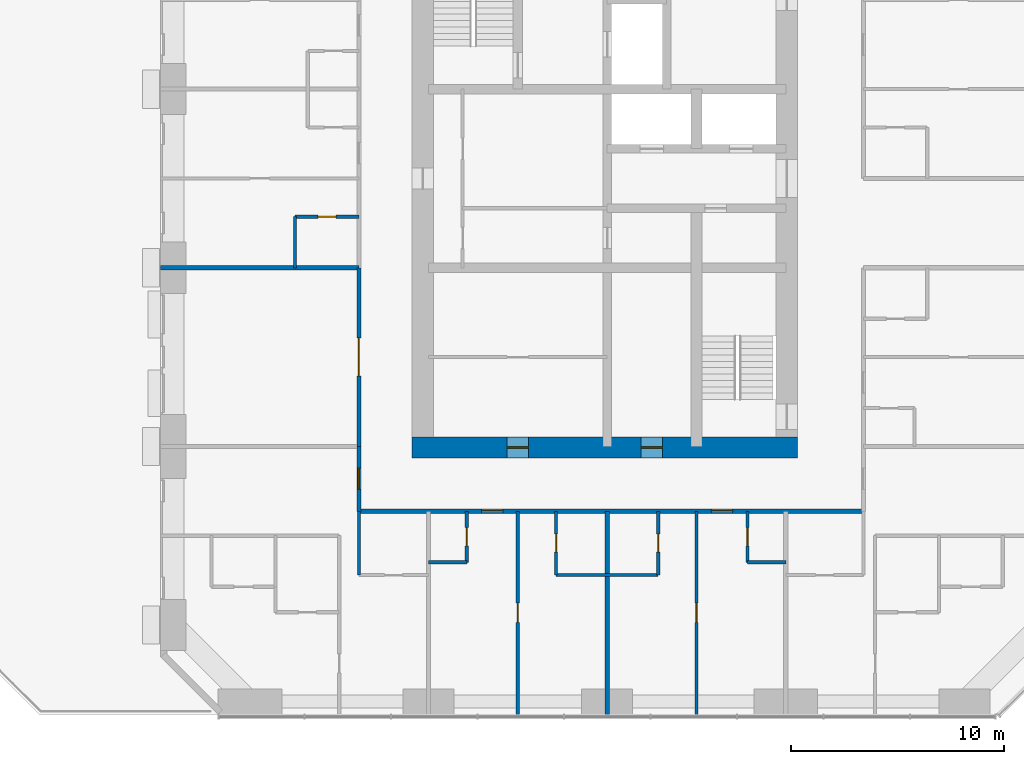
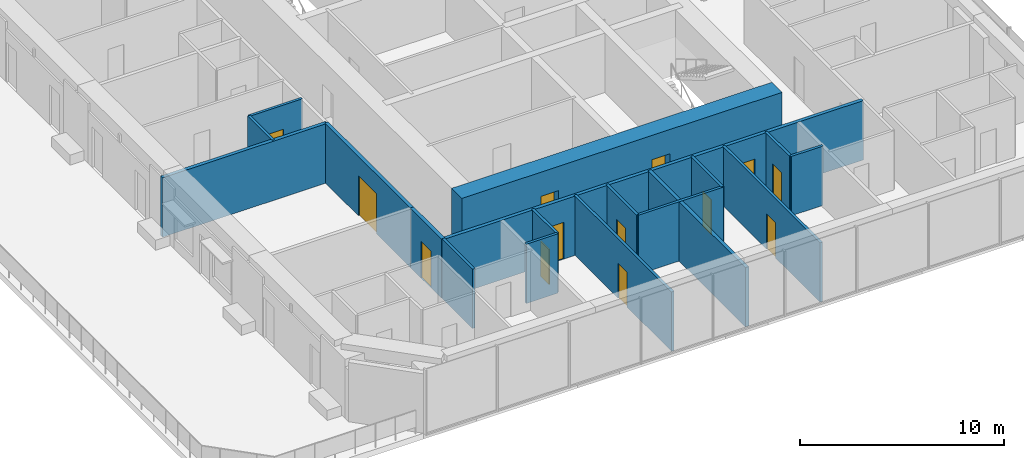
# One storey, part 7 of 13: 18 walls, 13 doors, 13 openings.
"""IFC4 building model written with IfcOpenShell, lengths in metres."""

from ifc_helpers import new_model, si_unit, direction, frame, frame_2d, origin, place, context, subcontext, project, spatial, rectangle, extrude, material, layer, layer_set, type_object, element, fill, save


model = new_model("IFC4")

# Units and contexts
model_context = context("Model", 3, precision=1e-05, world=origin(), true_north=direction((0.0, 1.0)))
body_context = subcontext(model_context, "Body", "Model", "MODEL_VIEW")
ifc_project = project(units=[si_unit("LENGTHUNIT", "METRE"), si_unit("AREAUNIT", "SQUARE_METRE"), si_unit("VOLUMEUNIT", "CUBIC_METRE"), si_unit("PLANEANGLEUNIT", "RADIAN"), si_unit("MASSUNIT", "GRAM", prefix="KILO")], contexts=[model_context])

# Site, building, storey
site_placement = place(None, origin())
site = spatial("IfcSite", under=ifc_project, at=site_placement, CompositionType="ELEMENT")
building_placement = place(site_placement, origin())
building = spatial("IfcBuilding", under=site, at=building_placement, Name="Dunama Terrace Hotel", CompositionType="ELEMENT")
storey_placement = place(building_placement, frame((0.0, 0.0, 225.60009765625)))
storey = spatial("IfcBuildingStorey", under=building, at=storey_placement, Name="L58", CompositionType="ELEMENT", Elevation=225.60009765625)

# Walls
ifc_material_1 = material(Name="Gypsum board partition", Category="masonry")
ifc_layer_1 = layer(ifc_material_1, 0.14990234375)
ifc_layer_set_1 = layer_set([ifc_layer_1], Name="Bathroom partition 150")
wall_type_1 = type_object("IfcWallType", Name="Bathroom partition 150", PredefinedType="PARTITIONING", material=ifc_layer_set_1)
wall_1_placement = place(storey_placement, frame((18.925048828125, 25.199951171875, 0.0), z_axis=(0.0, 0.0, 1.0), x_axis=(0.0, 1.0, 0.0)))
element("IfcWall", 1, at=wall_1_placement, inside=storey, type_object=wall_type_1, Name="Bathroom partition 150 L58", PredefinedType="PARTITIONING", context=body_context, shape_type="SweptSolid", body=[
    extrude(rectangle(XDim=2.400146484375, YDim=0.14990234375, at=frame_2d((1.2001953125, 0.0))), origin(), (0.0, 0.0, 1.0), 3.5498046875),
])
wall_2_placement = place(storey_placement, frame((21.925048828125, 10.75, 0.0), z_axis=(0.0, 0.0, 1.0), x_axis=(0.0, 1.0, 0.0)))
element("IfcWall", 2, at=wall_2_placement, inside=storey, type_object=wall_type_1, Name="Bathroom partition 150 L58", PredefinedType="PARTITIONING", context=body_context, shape_type="SweptSolid", body=[
    extrude(rectangle(XDim=3.0, YDim=0.14990234375, at=frame_2d((1.5, 0.0))), origin(), (0.0, 0.0, 1.0), 3.5498046875),
])

# Wall, opening, door
wall_3_placement = place(storey_placement, frame((27.0, 11.35009765625, 0.0), z_axis=(0.0, 0.0, 1.0), x_axis=(0.0, 1.0, 0.0)))
wall_3 = element("IfcWall", 3, at=wall_3_placement, inside=storey, type_object=wall_type_1, Name="Bathroom partition 150 L58", PredefinedType="PARTITIONING", context=body_context, shape_type="SweptSolid", body=[
    extrude(rectangle(XDim=2.39990234375, YDim=0.14990234375, at=frame_2d((1.199951171875, 0.0))), origin(), (0.0, 0.0, 1.0), 3.5498046875),
])
opening_1_placement = place(wall_3_placement, frame((0.77490234375, 0.0, 0.0)))
opening_1 = element("IfcOpeningElement", 4, at=opening_1_placement, cuts=wall_3, Name="Opening L58-017", PredefinedType="OPENING", context=body_context, shape_type="SweptSolid", body=[
    extrude(rectangle(XDim=0.85009765625, YDim=2.10009765625, at=frame_2d((0.425048828125, 1.050048828125))), frame((0.0, 0.0849609375, 0.0), z_axis=(0.0, -1.0, 0.0), x_axis=(1.0, 0.0, 0.0)), (0.0, 0.0, 1.0), 0.169921875),
])
ifc_material_2 = material(Name="Timber door with steel frame", Category="steel")
door_type_1 = type_object("IfcDoorType", Name="Bathroom door 850", OperationType="SINGLE_SWING_LEFT", PredefinedType="DOOR", material=ifc_material_2)
door_1_placement = place(opening_1_placement, origin())
door_1 = element("IfcDoor", 5, at=door_1_placement, inside=storey, type_object=door_type_1, Name="Door to powder room L58-017, type D2", OperationType="SINGLE_SWING_RIGHT", OverallHeight=2.10009765625, OverallWidth=0.85009765625, PredefinedType="DOOR", context=body_context, shape_type="SweptSolid", body=[
    extrude(rectangle(XDim=0.85009765625, YDim=2.10009765625, at=frame_2d((0.425048828125, 1.050048828125))), frame((0.0, 0.02490234375, 0.0), z_axis=(0.0, -1.0, 0.0), x_axis=(1.0, 0.0, 0.0)), (0.0, 0.0, 1.0), 0.050048828125),
])
fill(opening_1, door_1)

wall_4_placement = place(storey_placement, frame((31.199951171875, 10.75, 0.0), z_axis=(0.0, 0.0, 1.0), x_axis=(0.0, 1.0, 0.0)))
wall_4 = element("IfcWall", 6, at=wall_4_placement, inside=storey, type_object=wall_type_1, Name="Bathroom partition 150 L58", PredefinedType="PARTITIONING", context=body_context, shape_type="SweptSolid", body=[
    extrude(rectangle(XDim=3.0, YDim=0.14990234375, at=frame_2d((1.5, 0.0))), origin(), (0.0, 0.0, 1.0), 3.5498046875),
])
opening_2_placement = place(wall_4_placement, frame((1.074951171875, 0.0, 0.0)))
opening_2 = element("IfcOpeningElement", 7, at=opening_2_placement, cuts=wall_4, Name="Opening L58-019", PredefinedType="OPENING", context=body_context, shape_type="SweptSolid", body=[
    extrude(rectangle(XDim=0.85009765625, YDim=2.10009765625, at=frame_2d((0.425048828125, 1.050048828125))), frame((0.0, 0.0849609375, 0.0), z_axis=(0.0, -1.0, 0.0), x_axis=(1.0, 0.0, 0.0)), (0.0, 0.0, 1.0), 0.169921875),
])
door_2_placement = place(opening_2_placement, frame((0.85009765625, 0.0, 0.0), z_axis=(0.0, 0.0, 1.0), x_axis=(-1.0, 0.0, 0.0)))
door_2 = element("IfcDoor", 8, at=door_2_placement, inside=storey, type_object=door_type_1, Name="Door to en-suite bathroom L58-019, type D2", OperationType="SINGLE_SWING_LEFT", OverallHeight=2.10009765625, OverallWidth=0.85009765625, PredefinedType="DOOR", context=body_context, shape_type="SweptSolid", body=[
    extrude(rectangle(XDim=0.85009765625, YDim=2.10009765625, at=frame_2d((0.425048828125, 1.050048828125))), frame((0.0, 0.025146484375, 0.0), z_axis=(0.0, -1.0, 0.0), x_axis=(1.0, 0.0, 0.0)), (0.0, 0.0, 1.0), 0.050048828125),
])
fill(opening_2, door_2)

wall_5_placement = place(storey_placement, frame((36.0, 10.75, 0.0), z_axis=(0.0, 0.0, 1.0), x_axis=(0.0, 1.0, 0.0)))
wall_5 = element("IfcWall", 9, at=wall_5_placement, inside=storey, type_object=wall_type_1, Name="Bathroom partition 150 L58", PredefinedType="PARTITIONING", context=body_context, shape_type="SweptSolid", body=[
    extrude(rectangle(XDim=3.0, YDim=0.14990234375, at=frame_2d((1.5, 0.0))), origin(), (0.0, 0.0, 1.0), 3.5498046875),
])
opening_3_placement = place(wall_5_placement, frame((1.074951171875, 0.0, 0.0)))
opening_3 = element("IfcOpeningElement", 10, at=opening_3_placement, cuts=wall_5, Name="Opening L58-023", PredefinedType="OPENING", context=body_context, shape_type="SweptSolid", body=[
    extrude(rectangle(XDim=0.85009765625, YDim=2.10009765625, at=frame_2d((0.425048828125, 1.050048828125))), frame((0.0, 0.0849609375, 0.0), z_axis=(0.0, -1.0, 0.0), x_axis=(1.0, 0.0, 0.0)), (0.0, 0.0, 1.0), 0.169921875),
])
door_3_placement = place(opening_3_placement, origin())
door_3 = element("IfcDoor", 11, at=door_3_placement, inside=storey, type_object=door_type_1, Name="Door to en-suite bathroom L58-023, type D2", OperationType="SINGLE_SWING_RIGHT", OverallHeight=2.10009765625, OverallWidth=0.85009765625, PredefinedType="DOOR", context=body_context, shape_type="SweptSolid", body=[
    extrude(rectangle(XDim=0.85009765625, YDim=2.10009765625, at=frame_2d((0.425048828125, 1.050048828125))), frame((0.0, 0.02490234375, 0.0), z_axis=(0.0, -1.0, 0.0), x_axis=(1.0, 0.0, 0.0)), (0.0, 0.0, 1.0), 0.050048828125),
])
fill(opening_3, door_3)

wall_6_placement = place(storey_placement, frame((40.199951171875, 11.35009765625, 0.0), z_axis=(0.0, 0.0, 1.0), x_axis=(0.0, 1.0, 0.0)))
wall_6 = element("IfcWall", 12, at=wall_6_placement, inside=storey, type_object=wall_type_1, Name="Bathroom partition 150 L58", PredefinedType="PARTITIONING", context=body_context, shape_type="SweptSolid", body=[
    extrude(rectangle(XDim=2.39990234375, YDim=0.14990234375, at=frame_2d((1.199951171875, 0.0))), origin(), (0.0, 0.0, 1.0), 3.5498046875),
])
opening_4_placement = place(wall_6_placement, frame((0.77490234375, 0.0, 0.0)))
opening_4 = element("IfcOpeningElement", 13, at=opening_4_placement, cuts=wall_6, Name="Opening L58-021", PredefinedType="OPENING", context=body_context, shape_type="SweptSolid", body=[
    extrude(rectangle(XDim=0.85009765625, YDim=2.10009765625, at=frame_2d((0.425048828125, 1.050048828125))), frame((0.0, 0.0849609375, 0.0), z_axis=(0.0, -1.0, 0.0), x_axis=(1.0, 0.0, 0.0)), (0.0, 0.0, 1.0), 0.169921875),
])
door_4_placement = place(opening_4_placement, frame((0.85009765625, 0.0, 0.0), z_axis=(0.0, 0.0, 1.0), x_axis=(-1.0, 0.0, 0.0)))
door_4 = element("IfcDoor", 14, at=door_4_placement, inside=storey, type_object=door_type_1, Name="Door to powder room L58-021, type D2", OperationType="SINGLE_SWING_LEFT", OverallHeight=2.10009765625, OverallWidth=0.85009765625, PredefinedType="DOOR", context=body_context, shape_type="SweptSolid", body=[
    extrude(rectangle(XDim=0.85009765625, YDim=2.10009765625, at=frame_2d((0.425048828125, 1.050048828125))), frame((0.0, 0.025146484375, 0.0), z_axis=(0.0, -1.0, 0.0), x_axis=(1.0, 0.0, 0.0)), (0.0, 0.0, 1.0), 0.050048828125),
])
fill(opening_4, door_4)

# Walls
wall_7_placement = place(storey_placement, frame((31.199951171875, 10.75, 0.0), z_axis=(0.0, 0.0, 1.0), x_axis=(1.0, 0.0, 0.0)))
element("IfcWall", 15, at=wall_7_placement, inside=storey, type_object=wall_type_1, Name="Bathroom partition 150 L58", PredefinedType="PARTITIONING", context=body_context, shape_type="SweptSolid", body=[
    extrude(rectangle(XDim=4.800048828125, YDim=0.14990234375, at=frame_2d((2.39990234375, 0.0))), origin(), (0.0, 0.0, 1.0), 3.5498046875),
])
for number, where, z_axis, x_axis, name in (
    (16, (25.199951171875, 11.35009765625, 0.0), (0.0, 0.0, 1.0), (1.0, 0.0, 0.0), "Bathroom partition 150 L58"),
    (17, (40.199951171875, 11.35009765625, 0.0), (0.0, 0.0, 1.0), (1.0, 0.0, 0.0), "Bathroom partition 150 L58"),
):
    element("IfcWall", number, at=place(storey_placement, frame(where, z_axis=z_axis, x_axis=x_axis)), inside=storey, type_object=wall_type_1, Name=name, PredefinedType="PARTITIONING", context=body_context, shape_type="SweptSolid", body=[
        extrude(rectangle(XDim=1.800048828125, YDim=0.14990234375, at=frame_2d((0.89990234375, 0.0))), origin(), (0.0, 0.0, 1.0), 3.5498046875),
    ])

# Wall, opening, door
wall_8_placement = place(storey_placement, frame((18.925048828125, 27.60009765625, 0.0), z_axis=(0.0, 0.0, 1.0), x_axis=(1.0, 0.0, 0.0)))
wall_8 = element("IfcWall", 18, at=wall_8_placement, inside=storey, type_object=wall_type_1, Name="Bathroom partition 150 L58", PredefinedType="PARTITIONING", context=body_context, shape_type="SweptSolid", body=[
    extrude(rectangle(XDim=3.0, YDim=0.14990234375, at=frame_2d((1.5, 0.0))), origin(), (0.0, 0.0, 1.0), 3.5498046875),
])
opening_5_placement = place(wall_8_placement, frame((1.074951171875, 0.0, 0.0)))
opening_5 = element("IfcOpeningElement", 19, at=opening_5_placement, cuts=wall_8, Name="Opening L58-045", PredefinedType="OPENING", context=body_context, shape_type="SweptSolid", body=[
    extrude(rectangle(XDim=0.85009765625, YDim=2.10009765625, at=frame_2d((0.425048828125, 1.050048828125))), frame((0.0, 0.0849609375, 0.0), z_axis=(0.0, -1.0, 0.0), x_axis=(1.0, 0.0, 0.0)), (0.0, 0.0, 1.0), 0.169921875),
])
door_5_placement = place(opening_5_placement, frame((0.85009765625, 0.0, 0.0), z_axis=(0.0, 0.0, 1.0), x_axis=(-1.0, 0.0, 0.0)))
door_5 = element("IfcDoor", 20, at=door_5_placement, inside=storey, type_object=door_type_1, Name="Door to en-suite bathroom L58-045, type D2", OperationType="SINGLE_SWING_LEFT", OverallHeight=2.10009765625, OverallWidth=0.85009765625, PredefinedType="DOOR", context=body_context, shape_type="SweptSolid", body=[
    extrude(rectangle(XDim=0.85009765625, YDim=2.10009765625, at=frame_2d((0.425048828125, 1.050048828125))), frame((0.0, 0.025146484375, 0.0), z_axis=(0.0, -1.0, 0.0), x_axis=(1.0, 0.0, 0.0)), (0.0, 0.0, 1.0), 0.050048828125),
])
fill(opening_5, door_5)

# Wall, openings, doors
ifc_material_3 = material(Name="Concrete C60/75", Category="concrete")
ifc_layer_2 = layer(ifc_material_3, 1.0)
ifc_layer_set_2 = layer_set([ifc_layer_2], Name="Core wall 1000")
wall_type_2 = type_object("IfcWallType", Name="Core wall 1000", PredefinedType="SHEAR", material=ifc_layer_set_2)
wall_9_placement = place(storey_placement, frame((24.425048828125, 16.75, -0.35009765625), z_axis=(0.0, 0.0, 1.0), x_axis=(1.0, 0.0, 0.0)))
wall_9 = element("IfcWall", 21, at=wall_9_placement, inside=storey, type_object=wall_type_2, Name="Core wall south L58", PredefinedType="SHEAR", context=body_context, shape_type="SweptSolid", body=[
    extrude(rectangle(XDim=18.125, YDim=1.0, at=frame_2d((9.0625, 0.0))), origin(), (0.0, 0.0, 1.0), 3.89990234375),
])
opening_6_placement = place(wall_9_placement, frame((4.47509765625, 0.0, 0.35009765625)))
opening_6 = element("IfcOpeningElement", 22, at=opening_6_placement, cuts=wall_9, Name="Opening L58-078", PredefinedType="OPENING", context=body_context, shape_type="SweptSolid", body=[
    extrude(rectangle(XDim=1.0, YDim=2.10009765625, at=frame_2d((0.5, 1.050048828125))), frame((0.0, 0.510009765625, 0.0), z_axis=(0.0, -1.0, 0.0), x_axis=(1.0, 0.0, 0.0)), (0.0, 0.0, 1.0), 1.02001953125),
])
opening_7_placement = place(wall_9_placement, frame((10.77490234375, 0.0, 0.35009765625)))
opening_7 = element("IfcOpeningElement", 23, at=opening_7_placement, cuts=wall_9, Name="Opening L58-080", PredefinedType="OPENING", context=body_context, shape_type="SweptSolid", body=[
    extrude(rectangle(XDim=1.0, YDim=2.10009765625, at=frame_2d((0.5, 1.050048828125))), frame((0.0, 0.510009765625, 0.0), z_axis=(0.0, -1.0, 0.0), x_axis=(1.0, 0.0, 0.0)), (0.0, 0.0, 1.0), 1.02001953125),
])
ifc_material_4 = material(Name="Timber door with steel frame", Category="steel")
door_type_2 = type_object("IfcDoorType", Name="Service door 1000", OperationType="SINGLE_SWING_LEFT", PredefinedType="DOOR", material=ifc_material_4)
door_6_placement = place(opening_6_placement, origin())
door_6 = element("IfcDoor", 24, at=door_6_placement, inside=storey, type_object=door_type_2, Name="Door to corridor air handling room L58-078, type D7", OperationType="SINGLE_SWING_LEFT", OverallHeight=2.10009765625, OverallWidth=1.0, PredefinedType="DOOR", context=body_context, shape_type="SweptSolid", body=[
    extrude(rectangle(XDim=1.0, YDim=2.10009765625, at=frame_2d((0.5, 1.050048828125))), frame((0.0, 0.02490234375, 0.0), z_axis=(0.0, -1.0, 0.0), x_axis=(1.0, 0.0, 0.0)), (0.0, 0.0, 1.0), 0.050048828125),
])
fill(opening_6, door_6)
door_7_placement = place(opening_7_placement, origin())
door_7 = element("IfcDoor", 25, at=door_7_placement, inside=storey, type_object=door_type_2, Name="Door to water riser room L58-080, type D7", OperationType="SINGLE_SWING_RIGHT", OverallHeight=2.10009765625, OverallWidth=1.0, PredefinedType="DOOR", context=body_context, shape_type="SweptSolid", body=[
    extrude(rectangle(XDim=1.0, YDim=2.10009765625, at=frame_2d((0.5, 1.050048828125))), frame((0.0, 0.02490234375, 0.0), z_axis=(0.0, -1.0, 0.0), x_axis=(1.0, 0.0, 0.0)), (0.0, 0.0, 1.0), 0.050048828125),
])
fill(opening_7, door_7)

# Wall, opening, door
ifc_material_5 = material(Name="Concrete blockwork", Category="masonry")
ifc_layer_3 = layer(ifc_material_5, 0.199951171875)
ifc_layer_set_3 = layer_set([ifc_layer_3], Name="Corridor partition 200")
wall_type_3 = type_object("IfcWallType", Name="Corridor partition 200", PredefinedType="PARTITIONING", material=ifc_layer_set_3)
wall_10_placement = place(storey_placement, frame((21.925048828125, 13.75, 0.0), z_axis=(0.0, 0.0, 1.0), x_axis=(0.0, 1.0, 0.0)))
wall_10 = element("IfcWall", 26, at=wall_10_placement, inside=storey, type_object=wall_type_3, Name="Corridor partition 200 L58", PredefinedType="PARTITIONING", context=body_context, shape_type="SweptSolid", body=[
    extrude(rectangle(XDim=3.050048828125, YDim=0.199951171875, at=frame_2d((1.52490234375, 0.0))), origin(), (0.0, 0.0, 1.0), 3.5498046875),
])
opening_8_placement = place(wall_10_placement, frame((1.02490234375, 0.0, 0.0)))
opening_8 = element("IfcOpeningElement", 27, at=opening_8_placement, cuts=wall_10, Name="Opening L58-050", PredefinedType="OPENING", context=body_context, shape_type="SweptSolid", body=[
    extrude(rectangle(XDim=1.0, YDim=2.199951171875, at=frame_2d((0.5, 1.10009765625))), frame((0.0, 0.10986328125, 0.0), z_axis=(0.0, -1.0, 0.0), x_axis=(1.0, 0.0, 0.0)), (0.0, 0.0, 1.0), 0.219970703125),
])
ifc_material_6 = material(Name="Timber door with steel frame", Category="steel")
door_type_3 = type_object("IfcDoorType", Name="Guest room door 1000", OperationType="SINGLE_SWING_LEFT", PredefinedType="DOOR", material=ifc_material_6)
door_8_placement = place(opening_8_placement, origin())
door_8 = element("IfcDoor", 28, at=door_8_placement, inside=storey, type_object=door_type_3, Name="Door to grand corner suite living room L58-050, type D1", OperationType="SINGLE_SWING_RIGHT", OverallHeight=2.199951171875, OverallWidth=1.0, PredefinedType="DOOR", context=body_context, shape_type="SweptSolid", body=[
    extrude(rectangle(XDim=1.0, YDim=2.199951171875, at=frame_2d((0.5, 1.10009765625))), frame((0.0, 0.02490234375, 0.0), z_axis=(0.0, -1.0, 0.0), x_axis=(1.0, 0.0, 0.0)), (0.0, 0.0, 1.0), 0.050048828125),
])
fill(opening_8, door_8)

wall_11_placement = place(storey_placement, frame((21.925048828125, 25.199951171875, 0.0), z_axis=(0.0, 0.0, 1.0), x_axis=(0.0, -1.0, 0.0)))
wall_11 = element("IfcWall", 29, at=wall_11_placement, inside=storey, type_object=wall_type_3, Name="Corridor partition 200 L58", PredefinedType="PARTITIONING", context=body_context, shape_type="SweptSolid", body=[
    extrude(rectangle(XDim=8.39990234375, YDim=0.199951171875, at=frame_2d((4.199951171875, 0.0))), origin(), (0.0, 0.0, 1.0), 3.5498046875),
])
opening_9_placement = place(wall_11_placement, frame((3.300048828125, 0.0, 0.0)))
opening_9 = element("IfcOpeningElement", 30, at=opening_9_placement, cuts=wall_11, Name="Opening L58-041", PredefinedType="OPENING", context=body_context, shape_type="SweptSolid", body=[
    extrude(rectangle(XDim=1.800048828125, YDim=2.39990234375, at=frame_2d((0.89990234375, 1.199951171875))), frame((0.0, 0.10986328125, 0.0), z_axis=(0.0, -1.0, 0.0), x_axis=(1.0, 0.0, 0.0)), (0.0, 0.0, 1.0), 0.219970703125),
])
ifc_material_7 = material(Name="Aluminium-framed glazed door", Category="aluminium")
door_type_4 = type_object("IfcDoorType", Name="Glazed double door 1800", OperationType="DOUBLE_DOOR_DOUBLE_SWING", PredefinedType="DOOR", material=ifc_material_7)
door_9_placement = place(opening_9_placement, origin())
door_9 = element("IfcDoor", 31, at=door_9_placement, inside=storey, type_object=door_type_4, Name="Door to garden lounge L58-041, type D8", OperationType="DOUBLE_DOOR_DOUBLE_SWING", OverallHeight=2.39990234375, OverallWidth=1.800048828125, PredefinedType="DOOR", context=body_context, shape_type="SweptSolid", body=[
    extrude(rectangle(XDim=1.800048828125, YDim=2.39990234375, at=frame_2d((0.89990234375, 1.199951171875))), frame((0.0, 0.02490234375, 0.0), z_axis=(0.0, -1.0, 0.0), x_axis=(1.0, 0.0, 0.0)), (0.0, 0.0, 1.0), 0.050048828125),
])
fill(opening_9, door_9)

# Wall, openings, doors
wall_12_placement = place(storey_placement, frame((45.64990234375, 13.75, 0.0), z_axis=(0.0, 0.0, 1.0), x_axis=(-1.0, 0.0, 0.0)))
wall_12 = element("IfcWall", 32, at=wall_12_placement, inside=storey, type_object=wall_type_3, Name="Corridor partition 200 L58", PredefinedType="PARTITIONING", context=body_context, shape_type="SweptSolid", body=[
    extrude(rectangle(XDim=23.724853515625, YDim=0.199951171875, at=frame_2d((11.8623046875, 0.0))), origin(), (0.0, 0.0, 1.0), 3.5498046875),
])
opening_10_placement = place(wall_12_placement, frame((16.949951171875, 0.0, 0.0)))
opening_10 = element("IfcOpeningElement", 33, at=opening_10_placement, cuts=wall_12, Name="Opening L58-016", PredefinedType="OPENING", context=body_context, shape_type="SweptSolid", body=[
    extrude(rectangle(XDim=1.0, YDim=2.199951171875, at=frame_2d((0.5, 1.10009765625))), frame((0.0, 0.10986328125, 0.0), z_axis=(0.0, -1.0, 0.0), x_axis=(1.0, 0.0, 0.0)), (0.0, 0.0, 1.0), 0.219970703125),
])
opening_11_placement = place(wall_12_placement, frame((6.14990234375, 0.0, 0.0)))
opening_11 = element("IfcOpeningElement", 34, at=opening_11_placement, cuts=wall_12, Name="Opening L58-020", PredefinedType="OPENING", context=body_context, shape_type="SweptSolid", body=[
    extrude(rectangle(XDim=1.0, YDim=2.199951171875, at=frame_2d((0.5, 1.10009765625))), frame((0.0, 0.10986328125, 0.0), z_axis=(0.0, -1.0, 0.0), x_axis=(1.0, 0.0, 0.0)), (0.0, 0.0, 1.0), 0.219970703125),
])
door_10_placement = place(opening_10_placement, origin())
door_10 = element("IfcDoor", 35, at=door_10_placement, inside=storey, type_object=door_type_3, Name="Door to one-bedroom suite living room L58-016, type D1", OperationType="SINGLE_SWING_LEFT", OverallHeight=2.199951171875, OverallWidth=1.0, PredefinedType="DOOR", context=body_context, shape_type="SweptSolid", body=[
    extrude(rectangle(XDim=1.0, YDim=2.199951171875, at=frame_2d((0.5, 1.10009765625))), frame((0.0, 0.02490234375, 0.0), z_axis=(0.0, -1.0, 0.0), x_axis=(1.0, 0.0, 0.0)), (0.0, 0.0, 1.0), 0.050048828125),
])
fill(opening_10, door_10)
door_11_placement = place(opening_11_placement, origin())
door_11 = element("IfcDoor", 36, at=door_11_placement, inside=storey, type_object=door_type_3, Name="Door to one-bedroom suite living room L58-020, type D1", OperationType="SINGLE_SWING_LEFT", OverallHeight=2.199951171875, OverallWidth=1.0, PredefinedType="DOOR", context=body_context, shape_type="SweptSolid", body=[
    extrude(rectangle(XDim=1.0, YDim=2.199951171875, at=frame_2d((0.5, 1.10009765625))), frame((0.0, 0.02490234375, 0.0), z_axis=(0.0, -1.0, 0.0), x_axis=(1.0, 0.0, 0.0)), (0.0, 0.0, 1.0), 0.050048828125),
])
fill(opening_11, door_11)

# Walls
ifc_material_8 = material(Name="Concrete blockwork", Category="masonry")
ifc_layer_4 = layer(ifc_material_8, 0.199951171875)
ifc_layer_set_4 = layer_set([ifc_layer_4], Name="Party wall 200")
wall_type_4 = type_object("IfcWallType", Name="Party wall 200", PredefinedType="PARTITIONING", material=ifc_layer_set_4)
wall_13_placement = place(storey_placement, frame((33.60009765625, 4.181884765625, 0.0), z_axis=(0.0, 0.0, 1.0), x_axis=(0.0, 1.0, 0.0)))
element("IfcWall", 37, at=wall_13_placement, inside=storey, type_object=wall_type_4, Name="Party wall 200 L58", PredefinedType="PARTITIONING", context=body_context, shape_type="SweptSolid", body=[
    extrude(rectangle(XDim=9.568115234375, YDim=0.199951171875, at=frame_2d((4.7841796875, 0.0))), origin(), (0.0, 0.0, 1.0), 3.5498046875),
])
wall_14_placement = place(storey_placement, frame((12.60009765625, 25.199951171875, 0.0), z_axis=(0.0, 0.0, 1.0), x_axis=(1.0, 0.0, 0.0)))
element("IfcWall", 38, at=wall_14_placement, inside=storey, type_object=wall_type_4, Name="Party wall 200 L58", PredefinedType="PARTITIONING", context=body_context, shape_type="SweptSolid", body=[
    extrude(rectangle(XDim=9.324951171875, YDim=0.199951171875, at=frame_2d((4.66259765625, 0.0))), origin(), (0.0, 0.0, 1.0), 3.5498046875),
])

# Wall, opening, door
ifc_material_9 = material(Name="Gypsum board partition", Category="masonry")
ifc_layer_5 = layer(ifc_material_9, 0.14990234375)
ifc_layer_set_5 = layer_set([ifc_layer_5], Name="Room partition 150")
wall_type_5 = type_object("IfcWallType", Name="Room partition 150", PredefinedType="PARTITIONING", material=ifc_layer_set_5)
wall_15_placement = place(storey_placement, frame((29.39990234375, 4.181884765625, 0.0), z_axis=(0.0, 0.0, 1.0), x_axis=(0.0, 1.0, 0.0)))
wall_15 = element("IfcWall", 39, at=wall_15_placement, inside=storey, type_object=wall_type_5, Name="Room partition 150 L58", PredefinedType="PARTITIONING", context=body_context, shape_type="SweptSolid", body=[
    extrude(rectangle(XDim=9.568115234375, YDim=0.14990234375, at=frame_2d((4.7841796875, 0.0))), origin(), (0.0, 0.0, 1.0), 3.5498046875),
])
opening_12_placement = place(wall_15_placement, frame((4.343017578125, 0.0, 0.0)))
opening_12 = element("IfcOpeningElement", 40, at=opening_12_placement, cuts=wall_15, Name="Opening L58-018", PredefinedType="OPENING", context=body_context, shape_type="SweptSolid", body=[
    extrude(rectangle(XDim=0.89990234375, YDim=2.10009765625, at=frame_2d((0.449951171875, 1.050048828125))), frame((0.0, 0.0849609375, 0.0), z_axis=(0.0, -1.0, 0.0), x_axis=(1.0, 0.0, 0.0)), (0.0, 0.0, 1.0), 0.169921875),
])
ifc_material_10 = material(Name="Timber door with steel frame", Category="steel")
door_type_5 = type_object("IfcDoorType", Name="Suite internal door 900", OperationType="SINGLE_SWING_LEFT", PredefinedType="DOOR", material=ifc_material_10)
door_12_placement = place(opening_12_placement, frame((0.89990234375, 0.0, 0.0), z_axis=(0.0, 0.0, 1.0), x_axis=(-1.0, 0.0, 0.0)))
door_12 = element("IfcDoor", 41, at=door_12_placement, inside=storey, type_object=door_type_5, Name="Door to one-bedroom suite bedroom L58-018, type D16", OperationType="SINGLE_SWING_LEFT", OverallHeight=2.10009765625, OverallWidth=0.89990234375, PredefinedType="DOOR", context=body_context, shape_type="SweptSolid", body=[
    extrude(rectangle(XDim=0.89990234375, YDim=2.10009765625, at=frame_2d((0.449951171875, 1.050048828125))), frame((0.0, 0.025146484375, 0.0), z_axis=(0.0, -1.0, 0.0), x_axis=(1.0, 0.0, 0.0)), (0.0, 0.0, 1.0), 0.050048828125),
])
fill(opening_12, door_12)

wall_16_placement = place(storey_placement, frame((37.800048828125, 4.181884765625, 0.0), z_axis=(0.0, 0.0, 1.0), x_axis=(0.0, 1.0, 0.0)))
wall_16 = element("IfcWall", 42, at=wall_16_placement, inside=storey, type_object=wall_type_5, Name="Room partition 150 L58", PredefinedType="PARTITIONING", context=body_context, shape_type="SweptSolid", body=[
    extrude(rectangle(XDim=9.568115234375, YDim=0.14990234375, at=frame_2d((4.7841796875, 0.0))), origin(), (0.0, 0.0, 1.0), 3.5498046875),
])
opening_13_placement = place(wall_16_placement, frame((4.343017578125, 0.0, 0.0)))
opening_13 = element("IfcOpeningElement", 43, at=opening_13_placement, cuts=wall_16, Name="Opening L58-022", PredefinedType="OPENING", context=body_context, shape_type="SweptSolid", body=[
    extrude(rectangle(XDim=0.89990234375, YDim=2.10009765625, at=frame_2d((0.449951171875, 1.050048828125))), frame((0.0, 0.0849609375, 0.0), z_axis=(0.0, -1.0, 0.0), x_axis=(1.0, 0.0, 0.0)), (0.0, 0.0, 1.0), 0.169921875),
])
door_13_placement = place(opening_13_placement, origin())
door_13 = element("IfcDoor", 44, at=door_13_placement, inside=storey, type_object=door_type_5, Name="Door to one-bedroom suite bedroom L58-022, type D16", OperationType="SINGLE_SWING_RIGHT", OverallHeight=2.10009765625, OverallWidth=0.89990234375, PredefinedType="DOOR", context=body_context, shape_type="SweptSolid", body=[
    extrude(rectangle(XDim=0.89990234375, YDim=2.10009765625, at=frame_2d((0.449951171875, 1.050048828125))), frame((0.0, 0.02490234375, 0.0), z_axis=(0.0, -1.0, 0.0), x_axis=(1.0, 0.0, 0.0)), (0.0, 0.0, 1.0), 0.050048828125),
])
fill(opening_13, door_13)

save(model, "model.ifc")
